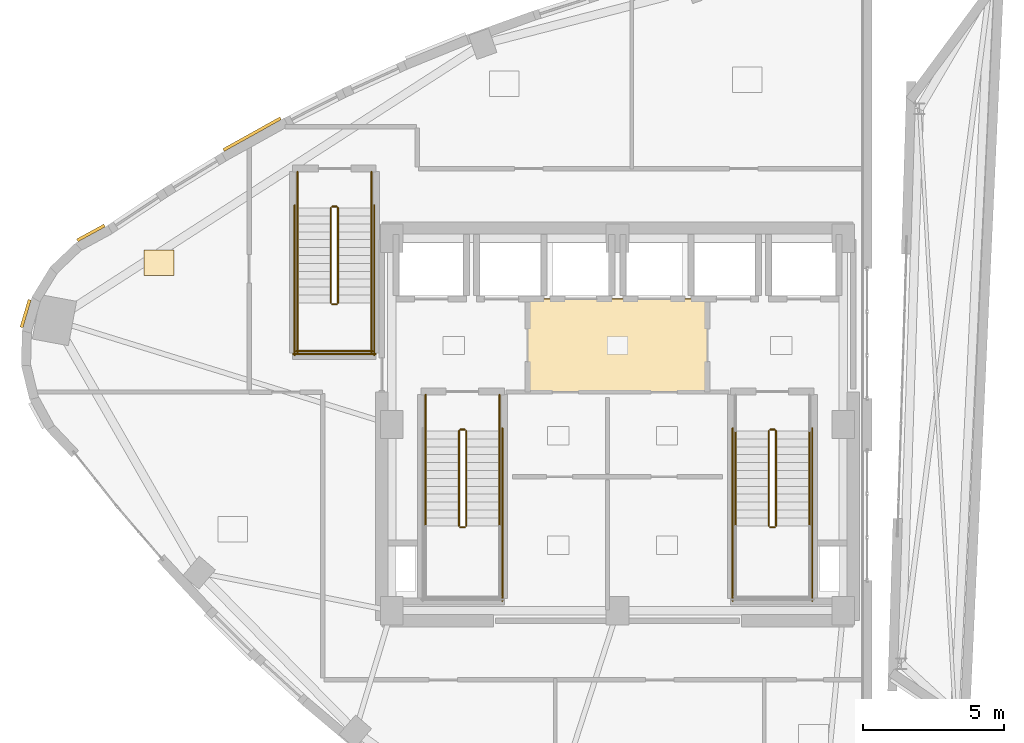
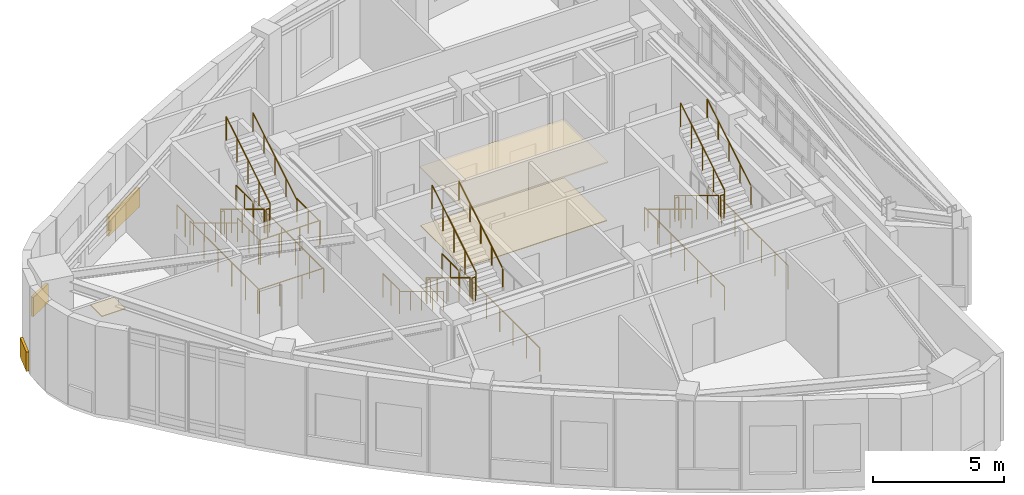
# One storey, part 18 of 19: 31 railings, 6 coverings.
"""IFC4 building model written with IfcOpenShell, lengths in metres."""

from ifc_helpers import new_model, si_unit, direction, frame, origin, origin_2d, place, context, subcontext, project, spatial, rectangle, circle, extrude, material, layer, layer_set, type_object, element, save


model = new_model("IFC4")

# Units and contexts
model_context = context("Model", 3, precision=1e-05, world=origin(), true_north=direction((0.0, 1.0)))
body_context = subcontext(model_context, "Body", "Model", "MODEL_VIEW")
ifc_project = project(units=[si_unit("LENGTHUNIT", "METRE"), si_unit("AREAUNIT", "SQUARE_METRE"), si_unit("VOLUMEUNIT", "CUBIC_METRE"), si_unit("PLANEANGLEUNIT", "RADIAN"), si_unit("MASSUNIT", "GRAM", prefix="KILO")], contexts=[model_context])

# Site, building, storey
site_placement = place(None, origin())
site = spatial("IfcSite", under=ifc_project, at=site_placement, CompositionType="ELEMENT")
building_placement = place(site_placement, origin())
building = spatial("IfcBuilding", under=site, at=building_placement, Name="Ndelora Gate Hotel", CompositionType="ELEMENT")
storey_placement = place(building_placement, frame((0.0, 0.0, 286.0)))
storey = spatial("IfcBuildingStorey", under=building, at=storey_placement, Name="L71", CompositionType="ELEMENT", Elevation=286.0)

# Coverings
ifc_material_1 = material(Name="Perforated Acoustic Gypsum Board", Category="gypsum")
ifc_layer_1 = layer(ifc_material_1, 0.054931640625)
ifc_layer_set_1 = layer_set([ifc_layer_1], Name="Perforated Acoustic Gypsum Board")
covering_type_1 = type_object("IfcCoveringType", Name="COV-CEIL-AC60", PredefinedType="CEILING", material=ifc_layer_set_1)
covering_1_placement = place(storey_placement, frame((0.0, 2.800048828125, 2.72265625), z_axis=(0.0, 0.0, 1.0), x_axis=(1.0, 0.0, 0.0)))
element("IfcCovering", 1, at=covering_1_placement, inside=storey, type_object=covering_type_1, Name="L71 Lift Lobby Acoustic Ceiling", PredefinedType="CEILING", context=body_context, shape_type="SweptSolid", body=[
    extrude(rectangle(XDim=6.39990234375, YDim=3.340087890625, at=origin_2d()), origin(), (0.0, 0.0, 1.0), 0.054931640625),
])
ifc_material_2 = material(Name="Terracotta Fired Clay Brick Slip Cladding", Category="masonry")
ifc_layer_2 = layer(ifc_material_2, 0.110107421875)
ifc_layer_set_2 = layer_set([ifc_layer_2], Name="Terracotta Fired Clay Brick Slip Cladding")
covering_type_2 = type_object("IfcCoveringType", Name="COV-CLAD-BRK", PredefinedType="CLADDING", material=ifc_layer_set_2)
covering_2_placement = place(storey_placement, frame((-18.65771484375, 6.7890625, 0.10009765625), z_axis=(0.0, 0.0, 1.0), x_axis=(0.878150016915, 0.478385354909, 0.0)))
element("IfcCovering", 2, at=covering_2_placement, inside=storey, type_object=covering_type_2, Name="L71 Rounded-Corner Brick Cladding Band 1", PredefinedType="CLADDING", context=body_context, shape_type="SweptSolid", body=[
    extrude(rectangle(XDim=1.09912109375, YDim=0.110107421875, at=origin_2d()), origin(), (0.0, 0.0, 1.0), 0.89990234375),
])
covering_3_placement = place(storey_placement, frame((-20.9736328125, 3.930419921875, 0.10009765625), z_axis=(0.0, 0.0, 1.0), x_axis=(0.282508884416, 0.959264682049, 0.0)))
element("IfcCovering", 3, at=covering_3_placement, inside=storey, type_object=covering_type_2, Name="L71 Rounded-Corner Brick Cladding Band 7", PredefinedType="CLADDING", context=body_context, shape_type="SweptSolid", body=[
    extrude(rectangle(XDim=1.01611328125, YDim=0.110107421875, at=origin_2d()), origin(), (0.0, 0.0, 1.0), 0.89990234375),
])
covering_4_placement = place(storey_placement, frame((-12.94775390625, 10.28857421875, 0.10009765625), z_axis=(0.0, 0.0, 1.0), x_axis=(0.873941932872, 0.486030346756, 0.0)))
element("IfcCovering", 4, at=covering_4_placement, inside=storey, type_object=covering_type_2, Name="L71 Rounded-Corner Brick Cladding Band 61", PredefinedType="CLADDING", context=body_context, shape_type="SweptSolid", body=[
    extrude(rectangle(XDim=2.31298828125, YDim=0.110107421875, at=origin_2d()), origin(), (0.0, 0.0, 1.0), 0.89990234375),
])
ifc_material_3 = material(Name="Engineered Highland Oak Parquet", Category="wood")
ifc_layer_3 = layer(ifc_material_3, 0.030029296875)
ifc_layer_set_3 = layer_set([ifc_layer_3], Name="Engineered Highland Oak Parquet")
covering_type_3 = type_object("IfcCoveringType", Name="COV-FLR-PARQ", PredefinedType="FLOORING", material=ifc_layer_set_3)
covering_5_placement = place(storey_placement, frame((-16.2470703125, 5.735107421875, 0.0), z_axis=(0.0, 0.0, 1.0), x_axis=(1.0, 0.0, 0.0)))
element("IfcCovering", 5, at=covering_5_placement, inside=storey, type_object=covering_type_3, Name="L71 North-West Sky Study Office Oak Parquet Flooring", PredefinedType="FLOORING", context=body_context, shape_type="SweptSolid", body=[
    extrude(rectangle(XDim=1.050048828125, YDim=0.89990234375, at=origin_2d()), origin(), (0.0, 0.0, 1.0), 0.030029296875),
])
ifc_material_4 = material(Name="Polished Highland Stone Terrazzo", Category="masonry")
ifc_layer_4 = layer(ifc_material_4, 0.034912109375)
ifc_layer_set_4 = layer_set([ifc_layer_4], Name="Polished Highland Stone Terrazzo")
covering_type_4 = type_object("IfcCoveringType", Name="COV-FLR-TERZ", PredefinedType="FLOORING", material=ifc_layer_set_4)
covering_6_placement = place(storey_placement, frame((0.0, 2.800048828125, 0.0), z_axis=(0.0, 0.0, 1.0), x_axis=(1.0, 0.0, 0.0)))
element("IfcCovering", 6, at=covering_6_placement, inside=storey, type_object=covering_type_4, Name="L71 Terrazzo Concourse Flooring", PredefinedType="FLOORING", context=body_context, shape_type="SweptSolid", body=[
    extrude(rectangle(XDim=6.360107421875, YDim=3.280029296875, at=origin_2d()), origin(), (0.0, 0.0, 1.0), 0.034912109375),
])

# Railings
ifc_material_5 = material(Name="Painted Galvanized Steel Balustrade", Category="steel")
ifc_layer_5 = layer(ifc_material_5, 0.06005859375)
ifc_layer_set_5 = layer_set([ifc_layer_5], Name="Painted Galvanized Steel Balustrade")
railing_type_1 = type_object("IfcRailingType", Name="RL-STAIR-GD", PredefinedType="GUARDRAIL", material=ifc_layer_set_5)
railing_1_placement = place(storey_placement, frame((-5.6201171875, -0.22998046875, 0.169189453125)))
element("IfcRailing", 7, at=railing_1_placement, inside=storey, type_object=railing_type_1, Name="L71 ST4 stair guard 1", PredefinedType="GUARDRAIL", context=body_context, shape_type="SweptSolid", body=[
    extrude(circle(Radius=0.02392578125, at=origin_2d()), frame((0.0, 0.0, 1.10595703125), z_axis=(0.0, -0.855836976705, 0.517245656632), x_axis=(1.0, 0.0, 0.0)), (0.0, 0.0, 1.0), 3.926025390625),
    extrude(circle(Radius=0.02099609375, at=origin_2d()), origin(), (0.0, 0.0, 1.0), 1.081787109375),
    extrude(circle(Radius=0.02099609375, at=origin_2d()), frame((0.0, -0.840087890625, 0.5078125)), (0.0, 0.0, 1.0), 1.081787109375),
    extrude(circle(Radius=0.02099609375, at=origin_2d()), frame((0.0, -1.68017578125, 1.015380859375)), (0.0, 0.0, 1.0), 1.081787109375),
    extrude(circle(Radius=0.02099609375, at=origin_2d()), frame((0.0, -2.52001953125, 1.52294921875)), (0.0, 0.0, 1.0), 1.081787109375),
    extrude(circle(Radius=0.02099609375, at=origin_2d()), frame((0.0, -3.360107421875, 2.03076171875)), (0.0, 0.0, 1.0), 1.081787109375),
])
railing_2_placement = place(storey_placement, frame((-5.570068359375, -3.639892578125, 2.199951171875)))
element("IfcRailing", 8, at=railing_2_placement, inside=storey, type_object=railing_type_1, Name="L71 ST4 stair guard 2", PredefinedType="GUARDRAIL", context=body_context, shape_type="SweptSolid", body=[
    extrude(circle(Radius=0.02392578125, at=origin_2d()), frame((0.0, 0.0, 1.10595703125), z_axis=(1.0, 0.0, 0.0), x_axis=(0.0, 1.0, 0.0)), (0.0, 0.0, 1.0), 0.16015625),
    extrude(circle(Radius=0.02099609375, at=origin_2d()), origin(), (0.0, 0.0, 1.0), 1.081787109375),
    extrude(circle(Radius=0.02099609375, at=origin_2d()), frame((0.16015625, 0.0, 0.0)), (0.0, 0.0, 1.0), 1.081787109375),
])
railing_3_placement = place(storey_placement, frame((-5.360107421875, -3.590087890625, 2.369140625)))
element("IfcRailing", 9, at=railing_3_placement, inside=storey, type_object=railing_type_1, Name="L71 ST4 stair guard 6", PredefinedType="GUARDRAIL", context=body_context, shape_type="SweptSolid", body=[
    extrude(circle(Radius=0.02392578125, at=origin_2d()), frame((0.0, 0.0, 1.10595703125), z_axis=(0.0, 0.855836976705, 0.517245656632), x_axis=(-1.0, 0.0, 0.0)), (0.0, 0.0, 1.0), 3.926025390625),
    extrude(circle(Radius=0.02099609375, at=origin_2d()), origin(), (0.0, 0.0, 1.0), 1.081787109375),
    extrude(circle(Radius=0.02099609375, at=origin_2d()), frame((0.0, 0.840087890625, 0.5078125)), (0.0, 0.0, 1.0), 1.081787109375),
    extrude(circle(Radius=0.02099609375, at=origin_2d()), frame((0.0, 1.68017578125, 1.015380859375)), (0.0, 0.0, 1.0), 1.081787109375),
    extrude(circle(Radius=0.02099609375, at=origin_2d()), frame((0.0, 2.52001953125, 1.52294921875)), (0.0, 0.0, 1.0), 1.081787109375),
    extrude(circle(Radius=0.02099609375, at=origin_2d()), frame((0.0, 3.360107421875, 2.03076171875)), (0.0, 0.0, 1.0), 1.081787109375),
])
railing_4_placement = place(storey_placement, frame((-5.570068359375, -0.179931640625, 0.0)))
element("IfcRailing", 10, at=railing_4_placement, inside=storey, type_object=railing_type_1, Name="L71 ST4 stair guard 7", PredefinedType="GUARDRAIL", context=body_context, shape_type="SweptSolid", body=[
    extrude(circle(Radius=0.02392578125, at=origin_2d()), frame((0.0, 0.0, 1.10595703125), z_axis=(1.0, 0.0, 0.0), x_axis=(0.0, 1.0, 0.0)), (0.0, 0.0, 1.0), 0.16015625),
    extrude(circle(Radius=0.02099609375, at=origin_2d()), origin(), (0.0, 0.0, 1.0), 1.081787109375),
    extrude(circle(Radius=0.02099609375, at=origin_2d()), frame((0.16015625, 0.0, 0.0)), (0.0, 0.0, 1.0), 1.081787109375),
])
for number, where, name in (
    (11, (-6.800048828125, 1.050048828125, 0.0), "L71 ST4 stair guard 8"),
    (12, (-4.179931640625, 1.050048828125, 0.0), "L71 ST4 stair guard 9"),
):
    element("IfcRailing", number, at=place(storey_placement, frame(where)), inside=storey, type_object=railing_type_1, Name=name, PredefinedType="GUARDRAIL", context=body_context, shape_type="SweptSolid", body=[
        extrude(circle(Radius=0.02392578125, at=origin_2d()), frame((0.0, 0.0, 1.10595703125), z_axis=(0.0, -1.0, 0.0), x_axis=(1.0, 0.0, 0.0)), (0.0, 0.0, 1.0), 1.280029296875),
        extrude(circle(Radius=0.02099609375, at=origin_2d()), origin(), (0.0, 0.0, 1.0), 1.081787109375),
        extrude(circle(Radius=0.02099609375, at=origin_2d()), frame((0.0, -0.64013671875, 0.0)), (0.0, 0.0, 1.0), 1.081787109375),
        extrude(circle(Radius=0.02099609375, at=origin_2d()), frame((0.0, -1.280029296875, 0.0)), (0.0, 0.0, 1.0), 1.081787109375),
    ])
railing_5_placement = place(storey_placement, frame((-4.080078125, -0.1298828125, 0.0)))
element("IfcRailing", 13, at=railing_5_placement, inside=storey, type_object=railing_type_1, Name="L71 ST4 stair guard 11", PredefinedType="GUARDRAIL", context=body_context, shape_type="SweptSolid", body=[
    extrude(circle(Radius=0.02392578125, at=origin_2d()), frame((0.0, 0.0, 1.10595703125), z_axis=(0.0, -1.0, 0.0), x_axis=(1.0, 0.0, 0.0)), (0.0, 0.0, 1.0), 6.1201171875),
    extrude(circle(Radius=0.02099609375, at=origin_2d()), origin(), (0.0, 0.0, 1.0), 1.081787109375),
    extrude(circle(Radius=0.02099609375, at=origin_2d()), frame((0.0, -1.02001953125, 0.0)), (0.0, 0.0, 1.0), 1.081787109375),
    extrude(circle(Radius=0.02099609375, at=origin_2d()), frame((0.0, -2.0400390625, 0.0)), (0.0, 0.0, 1.0), 1.081787109375),
    extrude(circle(Radius=0.02099609375, at=origin_2d()), frame((0.0, -3.06005859375, 0.0)), (0.0, 0.0, 1.0), 1.081787109375),
    extrude(circle(Radius=0.02099609375, at=origin_2d()), frame((0.0, -4.080078125, 0.0)), (0.0, 0.0, 1.0), 1.081787109375),
    extrude(circle(Radius=0.02099609375, at=origin_2d()), frame((0.0, -5.10009765625, 0.0)), (0.0, 0.0, 1.0), 1.081787109375),
    extrude(circle(Radius=0.02099609375, at=origin_2d()), frame((0.0, -6.1201171875, 0.0)), (0.0, 0.0, 1.0), 1.081787109375),
])
railing_6_placement = place(storey_placement, frame((5.360107421875, -0.22998046875, 0.169189453125)))
element("IfcRailing", 14, at=railing_6_placement, inside=storey, type_object=railing_type_1, Name="L71 ST5 stair guard 1", PredefinedType="GUARDRAIL", context=body_context, shape_type="SweptSolid", body=[
    extrude(circle(Radius=0.02392578125, at=origin_2d()), frame((0.0, 0.0, 1.10595703125), z_axis=(0.0, -0.855836976705, 0.517245656632), x_axis=(1.0, 0.0, 0.0)), (0.0, 0.0, 1.0), 3.926025390625),
    extrude(circle(Radius=0.02099609375, at=origin_2d()), origin(), (0.0, 0.0, 1.0), 1.081787109375),
    extrude(circle(Radius=0.02099609375, at=origin_2d()), frame((0.0, -0.840087890625, 0.5078125)), (0.0, 0.0, 1.0), 1.081787109375),
    extrude(circle(Radius=0.02099609375, at=origin_2d()), frame((0.0, -1.68017578125, 1.015380859375)), (0.0, 0.0, 1.0), 1.081787109375),
    extrude(circle(Radius=0.02099609375, at=origin_2d()), frame((0.0, -2.52001953125, 1.52294921875)), (0.0, 0.0, 1.0), 1.081787109375),
    extrude(circle(Radius=0.02099609375, at=origin_2d()), frame((0.0, -3.360107421875, 2.03076171875)), (0.0, 0.0, 1.0), 1.081787109375),
])
railing_7_placement = place(storey_placement, frame((5.409912109375, -3.639892578125, 2.199951171875)))
element("IfcRailing", 15, at=railing_7_placement, inside=storey, type_object=railing_type_1, Name="L71 ST5 stair guard 2", PredefinedType="GUARDRAIL", context=body_context, shape_type="SweptSolid", body=[
    extrude(circle(Radius=0.02392578125, at=origin_2d()), frame((0.0, 0.0, 1.10595703125), z_axis=(1.0, 0.0, 0.0), x_axis=(0.0, 1.0, 0.0)), (0.0, 0.0, 1.0), 0.16015625),
    extrude(circle(Radius=0.02099609375, at=origin_2d()), origin(), (0.0, 0.0, 1.0), 1.081787109375),
    extrude(circle(Radius=0.02099609375, at=origin_2d()), frame((0.16015625, 0.0, 0.0)), (0.0, 0.0, 1.0), 1.081787109375),
])
railing_8_placement = place(storey_placement, frame((5.6201171875, -3.590087890625, 2.369140625)))
element("IfcRailing", 16, at=railing_8_placement, inside=storey, type_object=railing_type_1, Name="L71 ST5 stair guard 6", PredefinedType="GUARDRAIL", context=body_context, shape_type="SweptSolid", body=[
    extrude(circle(Radius=0.02392578125, at=origin_2d()), frame((0.0, 0.0, 1.10595703125), z_axis=(0.0, 0.855836976705, 0.517245656632), x_axis=(-1.0, 0.0, 0.0)), (0.0, 0.0, 1.0), 3.926025390625),
    extrude(circle(Radius=0.02099609375, at=origin_2d()), origin(), (0.0, 0.0, 1.0), 1.081787109375),
    extrude(circle(Radius=0.02099609375, at=origin_2d()), frame((0.0, 0.840087890625, 0.5078125)), (0.0, 0.0, 1.0), 1.081787109375),
    extrude(circle(Radius=0.02099609375, at=origin_2d()), frame((0.0, 1.68017578125, 1.015380859375)), (0.0, 0.0, 1.0), 1.081787109375),
    extrude(circle(Radius=0.02099609375, at=origin_2d()), frame((0.0, 2.52001953125, 1.52294921875)), (0.0, 0.0, 1.0), 1.081787109375),
    extrude(circle(Radius=0.02099609375, at=origin_2d()), frame((0.0, 3.360107421875, 2.03076171875)), (0.0, 0.0, 1.0), 1.081787109375),
])
railing_9_placement = place(storey_placement, frame((5.409912109375, -0.179931640625, 0.0)))
element("IfcRailing", 17, at=railing_9_placement, inside=storey, type_object=railing_type_1, Name="L71 ST5 stair guard 7", PredefinedType="GUARDRAIL", context=body_context, shape_type="SweptSolid", body=[
    extrude(circle(Radius=0.02392578125, at=origin_2d()), frame((0.0, 0.0, 1.10595703125), z_axis=(1.0, 0.0, 0.0), x_axis=(0.0, 1.0, 0.0)), (0.0, 0.0, 1.0), 0.16015625),
    extrude(circle(Radius=0.02099609375, at=origin_2d()), origin(), (0.0, 0.0, 1.0), 1.081787109375),
    extrude(circle(Radius=0.02099609375, at=origin_2d()), frame((0.16015625, 0.0, 0.0)), (0.0, 0.0, 1.0), 1.081787109375),
])
for number, where, name in (
    (18, (4.080078125, -0.1298828125, 0.0), "L71 ST5 stair guard 10"),
    (19, (6.89990234375, -0.1298828125, 0.0), "L71 ST5 stair guard 11"),
):
    element("IfcRailing", number, at=place(storey_placement, frame(where)), inside=storey, type_object=railing_type_1, Name=name, PredefinedType="GUARDRAIL", context=body_context, shape_type="SweptSolid", body=[
        extrude(circle(Radius=0.02392578125, at=origin_2d()), frame((0.0, 0.0, 1.10595703125), z_axis=(0.0, -1.0, 0.0), x_axis=(1.0, 0.0, 0.0)), (0.0, 0.0, 1.0), 6.1201171875),
        extrude(circle(Radius=0.02099609375, at=origin_2d()), origin(), (0.0, 0.0, 1.0), 1.081787109375),
        extrude(circle(Radius=0.02099609375, at=origin_2d()), frame((0.0, -1.02001953125, 0.0)), (0.0, 0.0, 1.0), 1.081787109375),
        extrude(circle(Radius=0.02099609375, at=origin_2d()), frame((0.0, -2.0400390625, 0.0)), (0.0, 0.0, 1.0), 1.081787109375),
        extrude(circle(Radius=0.02099609375, at=origin_2d()), frame((0.0, -3.06005859375, 0.0)), (0.0, 0.0, 1.0), 1.081787109375),
        extrude(circle(Radius=0.02099609375, at=origin_2d()), frame((0.0, -4.080078125, 0.0)), (0.0, 0.0, 1.0), 1.081787109375),
        extrude(circle(Radius=0.02099609375, at=origin_2d()), frame((0.0, -5.10009765625, 0.0)), (0.0, 0.0, 1.0), 1.081787109375),
        extrude(circle(Radius=0.02099609375, at=origin_2d()), frame((0.0, -6.1201171875, 0.0)), (0.0, 0.0, 1.0), 1.081787109375),
    ])
railing_10_placement = place(storey_placement, frame((-10.159912109375, 7.669921875, 0.169189453125)))
element("IfcRailing", 20, at=railing_10_placement, inside=storey, type_object=railing_type_1, Name="L71 ST6 stair guard 1", PredefinedType="GUARDRAIL", context=body_context, shape_type="SweptSolid", body=[
    extrude(circle(Radius=0.02392578125, at=origin_2d()), frame((0.0, 0.0, 1.10595703125), z_axis=(0.0, -0.855820338506, 0.51727318527), x_axis=(1.0, 0.0, 0.0)), (0.0, 0.0, 1.0), 3.92578125),
    extrude(circle(Radius=0.02099609375, at=origin_2d()), origin(), (0.0, 0.0, 1.0), 1.081787109375),
    extrude(circle(Radius=0.02099609375, at=origin_2d()), frame((0.0, -0.83984375, 0.5078125)), (0.0, 0.0, 1.0), 1.081787109375),
    extrude(circle(Radius=0.02099609375, at=origin_2d()), frame((0.0, -1.679931640625, 1.015380859375)), (0.0, 0.0, 1.0), 1.081787109375),
    extrude(circle(Radius=0.02099609375, at=origin_2d()), frame((0.0, -2.52001953125, 1.52294921875)), (0.0, 0.0, 1.0), 1.081787109375),
    extrude(circle(Radius=0.02099609375, at=origin_2d()), frame((0.0, -3.35986328125, 2.03076171875)), (0.0, 0.0, 1.0), 1.081787109375),
])
railing_11_placement = place(storey_placement, frame((-10.110107421875, 4.260009765625, 2.199951171875)))
element("IfcRailing", 21, at=railing_11_placement, inside=storey, type_object=railing_type_1, Name="L71 ST6 stair guard 2", PredefinedType="GUARDRAIL", context=body_context, shape_type="SweptSolid", body=[
    extrude(circle(Radius=0.02392578125, at=origin_2d()), frame((0.0, 0.0, 1.10595703125), z_axis=(1.0, 0.0, 0.0), x_axis=(0.0, 1.0, 0.0)), (0.0, 0.0, 1.0), 0.16015625),
    extrude(circle(Radius=0.02099609375, at=origin_2d()), origin(), (0.0, 0.0, 1.0), 1.081787109375),
    extrude(circle(Radius=0.02099609375, at=origin_2d()), frame((0.16015625, 0.0, 0.0)), (0.0, 0.0, 1.0), 1.081787109375),
])
for number, where, name in (
    (22, (-11.340087890625, 4.31005859375, 2.199951171875), "L71 ST6 stair guard 3"),
    (23, (-8.719970703125, 4.31005859375, 2.199951171875), "L71 ST6 stair guard 4"),
):
    element("IfcRailing", number, at=place(storey_placement, frame(where)), inside=storey, type_object=railing_type_1, Name=name, PredefinedType="GUARDRAIL", context=body_context, shape_type="SweptSolid", body=[
        extrude(circle(Radius=0.02392578125, at=origin_2d()), frame((0.0, 0.0, 1.10595703125), z_axis=(0.0, -1.0, 0.0), x_axis=(1.0, 0.0, 0.0)), (0.0, 0.0, 1.0), 1.760009765625),
        extrude(circle(Radius=0.02099609375, at=origin_2d()), origin(), (0.0, 0.0, 1.0), 1.081787109375),
        extrude(circle(Radius=0.02099609375, at=origin_2d()), frame((0.0, -0.8798828125, 0.0)), (0.0, 0.0, 1.0), 1.081787109375),
        extrude(circle(Radius=0.02099609375, at=origin_2d()), frame((0.0, -1.760009765625, 0.0)), (0.0, 0.0, 1.0), 1.081787109375),
    ])
railing_12_placement = place(storey_placement, frame((-11.389892578125, 2.60009765625, 2.199951171875)))
element("IfcRailing", 24, at=railing_12_placement, inside=storey, type_object=railing_type_1, Name="L71 ST6 stair guard 5", PredefinedType="GUARDRAIL", context=body_context, shape_type="SweptSolid", body=[
    extrude(circle(Radius=0.02392578125, at=origin_2d()), frame((0.0, 0.0, 1.10595703125), z_axis=(1.0, 0.0, 0.0), x_axis=(0.0, 1.0, 0.0)), (0.0, 0.0, 1.0), 2.719970703125),
    extrude(circle(Radius=0.02099609375, at=origin_2d()), origin(), (0.0, 0.0, 1.0), 1.081787109375),
    extrude(circle(Radius=0.02099609375, at=origin_2d()), frame((0.90673828125, 0.0, 0.0)), (0.0, 0.0, 1.0), 1.081787109375),
    extrude(circle(Radius=0.02099609375, at=origin_2d()), frame((1.813232421875, 0.0, 0.0)), (0.0, 0.0, 1.0), 1.081787109375),
    extrude(circle(Radius=0.02099609375, at=origin_2d()), frame((2.719970703125, 0.0, 0.0)), (0.0, 0.0, 1.0), 1.081787109375),
])
railing_13_placement = place(storey_placement, frame((-9.89990234375, 4.31005859375, 2.369140625)))
element("IfcRailing", 25, at=railing_13_placement, inside=storey, type_object=railing_type_1, Name="L71 ST6 stair guard 6", PredefinedType="GUARDRAIL", context=body_context, shape_type="SweptSolid", body=[
    extrude(circle(Radius=0.02392578125, at=origin_2d()), frame((0.0, 0.0, 1.10595703125), z_axis=(0.0, 0.855820338506, 0.51727318527), x_axis=(-1.0, 0.0, 0.0)), (0.0, 0.0, 1.0), 3.92578125),
    extrude(circle(Radius=0.02099609375, at=origin_2d()), origin(), (0.0, 0.0, 1.0), 1.081787109375),
    extrude(circle(Radius=0.02099609375, at=origin_2d()), frame((0.0, 0.83984375, 0.5078125)), (0.0, 0.0, 1.0), 1.081787109375),
    extrude(circle(Radius=0.02099609375, at=origin_2d()), frame((0.0, 1.679931640625, 1.015380859375)), (0.0, 0.0, 1.0), 1.081787109375),
    extrude(circle(Radius=0.02099609375, at=origin_2d()), frame((0.0, 2.52001953125, 1.52294921875)), (0.0, 0.0, 1.0), 1.081787109375),
    extrude(circle(Radius=0.02099609375, at=origin_2d()), frame((0.0, 3.35986328125, 2.03076171875)), (0.0, 0.0, 1.0), 1.081787109375),
])
railing_14_placement = place(storey_placement, frame((-10.110107421875, 7.719970703125, 0.0)))
element("IfcRailing", 26, at=railing_14_placement, inside=storey, type_object=railing_type_1, Name="L71 ST6 stair guard 7", PredefinedType="GUARDRAIL", context=body_context, shape_type="SweptSolid", body=[
    extrude(circle(Radius=0.02392578125, at=origin_2d()), frame((0.0, 0.0, 1.10595703125), z_axis=(1.0, 0.0, 0.0), x_axis=(0.0, 1.0, 0.0)), (0.0, 0.0, 1.0), 0.16015625),
    extrude(circle(Radius=0.02099609375, at=origin_2d()), origin(), (0.0, 0.0, 1.0), 1.081787109375),
    extrude(circle(Radius=0.02099609375, at=origin_2d()), frame((0.16015625, 0.0, 0.0)), (0.0, 0.0, 1.0), 1.081787109375),
])
for number, where, name in (
    (27, (-11.340087890625, 8.949951171875, 0.0), "L71 ST6 stair guard 8"),
    (28, (-8.719970703125, 8.949951171875, 0.0), "L71 ST6 stair guard 9"),
):
    element("IfcRailing", number, at=place(storey_placement, frame(where)), inside=storey, type_object=railing_type_1, Name=name, PredefinedType="GUARDRAIL", context=body_context, shape_type="SweptSolid", body=[
        extrude(circle(Radius=0.02392578125, at=origin_2d()), frame((0.0, 0.0, 1.10595703125), z_axis=(0.0, -1.0, 0.0), x_axis=(1.0, 0.0, 0.0)), (0.0, 0.0, 1.0), 1.280029296875),
        extrude(circle(Radius=0.02099609375, at=origin_2d()), origin(), (0.0, 0.0, 1.0), 1.081787109375),
        extrude(circle(Radius=0.02099609375, at=origin_2d()), frame((0.0, -0.64013671875, 0.0)), (0.0, 0.0, 1.0), 1.081787109375),
        extrude(circle(Radius=0.02099609375, at=origin_2d()), frame((0.0, -1.280029296875, 0.0)), (0.0, 0.0, 1.0), 1.081787109375),
    ])
for number, where, name in (
    (29, (-11.43994140625, 7.77001953125, 0.0), "L71 ST6 stair guard 10"),
    (30, (-8.6201171875, 7.77001953125, 0.0), "L71 ST6 stair guard 11"),
):
    element("IfcRailing", number, at=place(storey_placement, frame(where)), inside=storey, type_object=railing_type_1, Name=name, PredefinedType="GUARDRAIL", context=body_context, shape_type="SweptSolid", body=[
        extrude(circle(Radius=0.02392578125, at=origin_2d()), frame((0.0, 0.0, 1.10595703125), z_axis=(0.0, -1.0, 0.0), x_axis=(1.0, 0.0, 0.0)), (0.0, 0.0, 1.0), 5.320068359375),
        extrude(circle(Radius=0.02099609375, at=origin_2d()), origin(), (0.0, 0.0, 1.0), 1.081787109375),
        extrude(circle(Radius=0.02099609375, at=origin_2d()), frame((0.0, -1.06396484375, 0.0)), (0.0, 0.0, 1.0), 1.081787109375),
        extrude(circle(Radius=0.02099609375, at=origin_2d()), frame((0.0, -2.1279296875, 0.0)), (0.0, 0.0, 1.0), 1.081787109375),
        extrude(circle(Radius=0.02099609375, at=origin_2d()), frame((0.0, -3.192138671875, 0.0)), (0.0, 0.0, 1.0), 1.081787109375),
        extrude(circle(Radius=0.02099609375, at=origin_2d()), frame((0.0, -4.256103515625, 0.0)), (0.0, 0.0, 1.0), 1.081787109375),
        extrude(circle(Radius=0.02099609375, at=origin_2d()), frame((0.0, -5.320068359375, 0.0)), (0.0, 0.0, 1.0), 1.081787109375),
    ])
railing_15_placement = place(storey_placement, frame((-11.489990234375, 2.5, 0.0)))
element("IfcRailing", 31, at=railing_15_placement, inside=storey, type_object=railing_type_1, Name="L71 ST6 stair guard 12", PredefinedType="GUARDRAIL", context=body_context, shape_type="SweptSolid", body=[
    extrude(circle(Radius=0.02392578125, at=origin_2d()), frame((0.0, 0.0, 1.10595703125), z_axis=(1.0, 0.0, 0.0), x_axis=(0.0, 1.0, 0.0)), (0.0, 0.0, 1.0), 2.919921875),
    extrude(circle(Radius=0.02099609375, at=origin_2d()), origin(), (0.0, 0.0, 1.0), 1.081787109375),
    extrude(circle(Radius=0.02099609375, at=origin_2d()), frame((0.973388671875, 0.0, 0.0)), (0.0, 0.0, 1.0), 1.081787109375),
    extrude(circle(Radius=0.02099609375, at=origin_2d()), frame((1.946533203125, 0.0, 0.0)), (0.0, 0.0, 1.0), 1.081787109375),
    extrude(circle(Radius=0.02099609375, at=origin_2d()), frame((2.919921875, 0.0, 0.0)), (0.0, 0.0, 1.0), 1.081787109375),
])
ifc_material_6 = material(Name="Brushed Stainless Steel 316", Category="steel")
ifc_layer_6 = layer(ifc_material_6, 0.050048828125)
ifc_layer_set_6 = layer_set([ifc_layer_6], Name="Brushed Stainless Steel 316")
railing_type_2 = type_object("IfcRailingType", Name="RL-STAIR-HR", PredefinedType="HANDRAIL", material=ifc_layer_set_6)
railing_16_placement = place(storey_placement, frame((-6.800048828125, -0.22998046875, 0.169189453125)))
element("IfcRailing", 32, at=railing_16_placement, inside=storey, type_object=railing_type_2, Name="L71 ST4 stair handrail 1", PredefinedType="HANDRAIL", context=body_context, shape_type="SweptSolid", body=[
    extrude(circle(Radius=0.02392578125, at=origin_2d()), frame((0.0, 0.0, 0.8759765625), z_axis=(0.0, -0.855836976705, 0.517245656632), x_axis=(1.0, 0.0, 0.0)), (0.0, 0.0, 1.0), 3.926025390625),
    extrude(circle(Radius=0.02099609375, at=origin_2d()), origin(), (0.0, 0.0, 1.0), 0.851806640625),
    extrude(circle(Radius=0.02099609375, at=origin_2d()), frame((0.0, -0.840087890625, 0.5078125)), (0.0, 0.0, 1.0), 0.851806640625),
    extrude(circle(Radius=0.02099609375, at=origin_2d()), frame((0.0, -1.68017578125, 1.015380859375)), (0.0, 0.0, 1.0), 0.851806640625),
    extrude(circle(Radius=0.02099609375, at=origin_2d()), frame((0.0, -2.52001953125, 1.52294921875)), (0.0, 0.0, 1.0), 0.851806640625),
    extrude(circle(Radius=0.02099609375, at=origin_2d()), frame((0.0, -3.360107421875, 2.03076171875)), (0.0, 0.0, 1.0), 0.851806640625),
])
railing_17_placement = place(storey_placement, frame((-4.179931640625, -3.590087890625, 2.369140625)))
element("IfcRailing", 33, at=railing_17_placement, inside=storey, type_object=railing_type_2, Name="L71 ST4 stair handrail 2", PredefinedType="HANDRAIL", context=body_context, shape_type="SweptSolid", body=[
    extrude(circle(Radius=0.02392578125, at=origin_2d()), frame((0.0, 0.0, 0.8759765625), z_axis=(0.0, 0.855836976705, 0.517245656632), x_axis=(-1.0, 0.0, 0.0)), (0.0, 0.0, 1.0), 3.926025390625),
    extrude(circle(Radius=0.02099609375, at=origin_2d()), origin(), (0.0, 0.0, 1.0), 0.851806640625),
    extrude(circle(Radius=0.02099609375, at=origin_2d()), frame((0.0, 0.840087890625, 0.5078125)), (0.0, 0.0, 1.0), 0.851806640625),
    extrude(circle(Radius=0.02099609375, at=origin_2d()), frame((0.0, 1.68017578125, 1.015380859375)), (0.0, 0.0, 1.0), 0.851806640625),
    extrude(circle(Radius=0.02099609375, at=origin_2d()), frame((0.0, 2.52001953125, 1.52294921875)), (0.0, 0.0, 1.0), 0.851806640625),
    extrude(circle(Radius=0.02099609375, at=origin_2d()), frame((0.0, 3.360107421875, 2.03076171875)), (0.0, 0.0, 1.0), 0.851806640625),
])
railing_18_placement = place(storey_placement, frame((4.179931640625, -0.22998046875, 0.169189453125)))
element("IfcRailing", 34, at=railing_18_placement, inside=storey, type_object=railing_type_2, Name="L71 ST5 stair handrail 1", PredefinedType="HANDRAIL", context=body_context, shape_type="SweptSolid", body=[
    extrude(circle(Radius=0.02392578125, at=origin_2d()), frame((0.0, 0.0, 0.8759765625), z_axis=(0.0, -0.855836976705, 0.517245656632), x_axis=(1.0, 0.0, 0.0)), (0.0, 0.0, 1.0), 3.926025390625),
    extrude(circle(Radius=0.02099609375, at=origin_2d()), origin(), (0.0, 0.0, 1.0), 0.851806640625),
    extrude(circle(Radius=0.02099609375, at=origin_2d()), frame((0.0, -0.840087890625, 0.5078125)), (0.0, 0.0, 1.0), 0.851806640625),
    extrude(circle(Radius=0.02099609375, at=origin_2d()), frame((0.0, -1.68017578125, 1.015380859375)), (0.0, 0.0, 1.0), 0.851806640625),
    extrude(circle(Radius=0.02099609375, at=origin_2d()), frame((0.0, -2.52001953125, 1.52294921875)), (0.0, 0.0, 1.0), 0.851806640625),
    extrude(circle(Radius=0.02099609375, at=origin_2d()), frame((0.0, -3.360107421875, 2.03076171875)), (0.0, 0.0, 1.0), 0.851806640625),
])
railing_19_placement = place(storey_placement, frame((6.800048828125, -3.590087890625, 2.369140625)))
element("IfcRailing", 35, at=railing_19_placement, inside=storey, type_object=railing_type_2, Name="L71 ST5 stair handrail 2", PredefinedType="HANDRAIL", context=body_context, shape_type="SweptSolid", body=[
    extrude(circle(Radius=0.02392578125, at=origin_2d()), frame((0.0, 0.0, 0.8759765625), z_axis=(0.0, 0.855836976705, 0.517245656632), x_axis=(-1.0, 0.0, 0.0)), (0.0, 0.0, 1.0), 3.926025390625),
    extrude(circle(Radius=0.02099609375, at=origin_2d()), origin(), (0.0, 0.0, 1.0), 0.851806640625),
    extrude(circle(Radius=0.02099609375, at=origin_2d()), frame((0.0, 0.840087890625, 0.5078125)), (0.0, 0.0, 1.0), 0.851806640625),
    extrude(circle(Radius=0.02099609375, at=origin_2d()), frame((0.0, 1.68017578125, 1.015380859375)), (0.0, 0.0, 1.0), 0.851806640625),
    extrude(circle(Radius=0.02099609375, at=origin_2d()), frame((0.0, 2.52001953125, 1.52294921875)), (0.0, 0.0, 1.0), 0.851806640625),
    extrude(circle(Radius=0.02099609375, at=origin_2d()), frame((0.0, 3.360107421875, 2.03076171875)), (0.0, 0.0, 1.0), 0.851806640625),
])
railing_20_placement = place(storey_placement, frame((-11.340087890625, 7.669921875, 0.169189453125)))
element("IfcRailing", 36, at=railing_20_placement, inside=storey, type_object=railing_type_2, Name="L71 ST6 stair handrail 1", PredefinedType="HANDRAIL", context=body_context, shape_type="SweptSolid", body=[
    extrude(circle(Radius=0.02392578125, at=origin_2d()), frame((0.0, 0.0, 0.8759765625), z_axis=(0.0, -0.855820338506, 0.51727318527), x_axis=(1.0, 0.0, 0.0)), (0.0, 0.0, 1.0), 3.92578125),
    extrude(circle(Radius=0.02099609375, at=origin_2d()), origin(), (0.0, 0.0, 1.0), 0.851806640625),
    extrude(circle(Radius=0.02099609375, at=origin_2d()), frame((0.0, -0.83984375, 0.5078125)), (0.0, 0.0, 1.0), 0.851806640625),
    extrude(circle(Radius=0.02099609375, at=origin_2d()), frame((0.0, -1.679931640625, 1.015380859375)), (0.0, 0.0, 1.0), 0.851806640625),
    extrude(circle(Radius=0.02099609375, at=origin_2d()), frame((0.0, -2.52001953125, 1.52294921875)), (0.0, 0.0, 1.0), 0.851806640625),
    extrude(circle(Radius=0.02099609375, at=origin_2d()), frame((0.0, -3.35986328125, 2.03076171875)), (0.0, 0.0, 1.0), 0.851806640625),
])
railing_21_placement = place(storey_placement, frame((-8.719970703125, 4.31005859375, 2.369140625)))
element("IfcRailing", 37, at=railing_21_placement, inside=storey, type_object=railing_type_2, Name="L71 ST6 stair handrail 2", PredefinedType="HANDRAIL", context=body_context, shape_type="SweptSolid", body=[
    extrude(circle(Radius=0.02392578125, at=origin_2d()), frame((0.0, 0.0, 0.8759765625), z_axis=(0.0, 0.855820338506, 0.51727318527), x_axis=(-1.0, 0.0, 0.0)), (0.0, 0.0, 1.0), 3.92578125),
    extrude(circle(Radius=0.02099609375, at=origin_2d()), origin(), (0.0, 0.0, 1.0), 0.851806640625),
    extrude(circle(Radius=0.02099609375, at=origin_2d()), frame((0.0, 0.83984375, 0.5078125)), (0.0, 0.0, 1.0), 0.851806640625),
    extrude(circle(Radius=0.02099609375, at=origin_2d()), frame((0.0, 1.679931640625, 1.015380859375)), (0.0, 0.0, 1.0), 0.851806640625),
    extrude(circle(Radius=0.02099609375, at=origin_2d()), frame((0.0, 2.52001953125, 1.52294921875)), (0.0, 0.0, 1.0), 0.851806640625),
    extrude(circle(Radius=0.02099609375, at=origin_2d()), frame((0.0, 3.35986328125, 2.03076171875)), (0.0, 0.0, 1.0), 0.851806640625),
])

save(model, "model.ifc")
